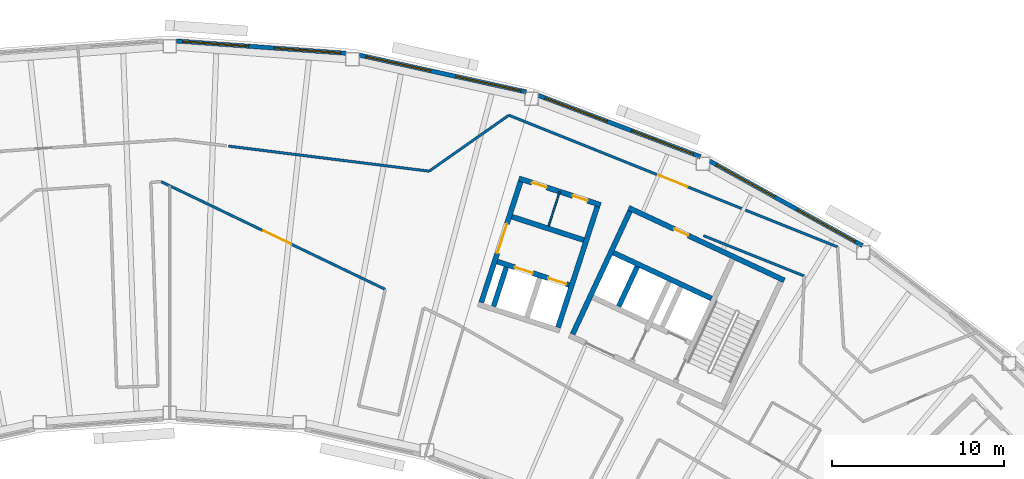
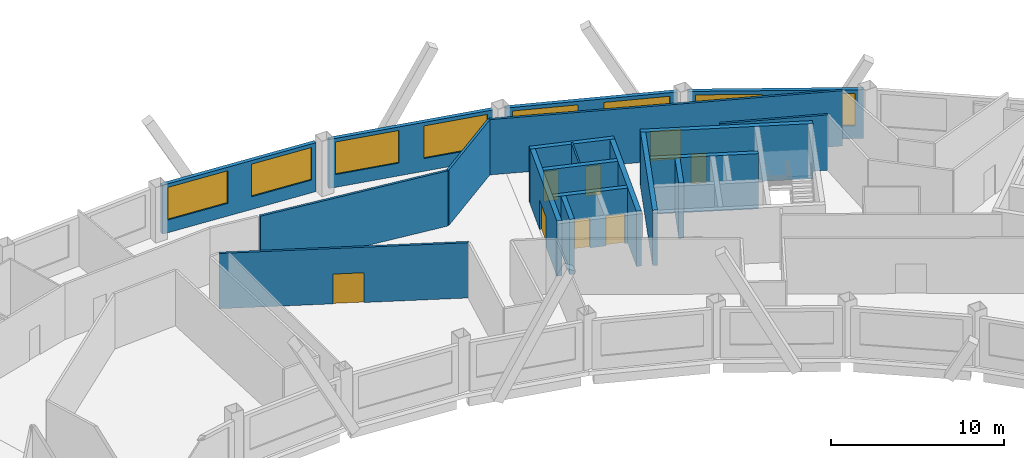
# One storey, part 9 of 12: 20 walls, 8 doors, 8 windows, 16 openings.
"""IFC4 building model written with IfcOpenShell, lengths in metres."""

from ifc_helpers import new_model, si_unit, direction, frame, frame_2d, origin, place, context, subcontext, project, spatial, rectangle, extrude, material, layer, layer_set, type_object, element, fill, save


model = new_model("IFC4")

# Units and contexts
model_context = context("Model", 3, precision=1e-05, world=origin(), true_north=direction((0.0, 1.0)))
body_context = subcontext(model_context, "Body", "Model", "MODEL_VIEW")
ifc_project = project(units=[si_unit("LENGTHUNIT", "METRE"), si_unit("AREAUNIT", "SQUARE_METRE"), si_unit("VOLUMEUNIT", "CUBIC_METRE"), si_unit("PLANEANGLEUNIT", "RADIAN"), si_unit("MASSUNIT", "GRAM", prefix="KILO")], contexts=[model_context])

# Site, building, storey
site_placement = place(None, origin())
site = spatial("IfcSite", under=ifc_project, at=site_placement, CompositionType="ELEMENT")
building_placement = place(site_placement, origin())
building = spatial("IfcBuilding", under=site, at=building_placement, Name="Tuul Gate Civic Tower", CompositionType="ELEMENT")
storey_placement = place(building_placement, frame((0.0, 0.0, 336.5)))
storey = spatial("IfcBuildingStorey", under=building, at=storey_placement, Name="Level 76", CompositionType="ELEMENT", Elevation=336.5)

# Wall
ifc_material_1 = material(Name="Concrete C50/60", Category="concrete")
ifc_layer_1 = layer(ifc_material_1, 0.300048828125)
ifc_layer_set_1 = layer_set([ifc_layer_1], Name="Concrete C50/60")
wall_type_1 = type_object("IfcWallType", Name="Core wall C50/60", PredefinedType="SHEAR", material=ifc_layer_set_1)
wall_1_placement = place(storey_placement, frame((33.75, -0.873779296875, 0.0), z_axis=(0.0, 0.0, 1.0), x_axis=(-0.906300917592, 0.422632992999, 0.0)))
element("IfcWall", 1, at=wall_1_placement, inside=storey, type_object=wall_type_1, Name="Core wall", PredefinedType="SHEAR", context=body_context, shape_type="SweptSolid", body=[
    extrude(rectangle(XDim=6.300048828125, YDim=0.300048828125, at=frame_2d((3.14990234375, 0.0))), origin(), (0.0, 0.0, 1.0), 3.89990234375),
])

# Wall, opening, door
wall_2_placement = place(storey_placement, frame((37.993408203125, 0.181884765625, 0.0), z_axis=(0.0, 0.0, 1.0), x_axis=(-0.906310338845, 0.422612789327, 0.0)))
wall_2 = element("IfcWall", 2, at=wall_2_placement, inside=storey, type_object=wall_type_1, Name="Core wall", PredefinedType="SHEAR", context=body_context, shape_type="SweptSolid", body=[
    extrude(rectangle(XDim=9.999755859375, YDim=0.300048828125, at=frame_2d((5.0, 0.0))), origin(), (0.0, 0.0, 1.0), 3.89990234375),
])
opening_1_placement = place(wall_2_placement, frame((6.175048828125, 0.0, 0.0)))
opening_1 = element("IfcOpeningElement", 3, at=opening_1_placement, cuts=wall_2, Name="Opening AB-D18", PredefinedType="OPENING", context=body_context, shape_type="SweptSolid", body=[
    extrude(rectangle(XDim=0.89990234375, YDim=2.10009765625, at=frame_2d((0.449951171875, 1.050048828125))), frame((0.0, 0.16015625, 0.0), z_axis=(0.0, -1.0, 0.0), x_axis=(1.0, 0.0, 0.0)), (0.0, 0.0, 1.0), 0.320068359375),
])
ifc_material_2 = material(Name="Timber door leaf", Category="wood")
door_type_1 = type_object("IfcDoorType", Name="Door D09", OperationType="NOTDEFINED", PredefinedType="DOOR", material=ifc_material_2)
door_1_placement = place(opening_1_placement, origin())
door_1 = element("IfcDoor", 4, at=door_1_placement, inside=storey, type_object=door_type_1, Name="Door AB-D18", OperationType="SINGLE_SWING_LEFT", OverallHeight=2.10009765625, OverallWidth=0.89990234375, PredefinedType="DOOR", context=body_context, shape_type="SweptSolid", body=[
    extrude(rectangle(XDim=0.89990234375, YDim=2.10009765625, at=frame_2d((0.449951171875, 1.050048828125))), frame((0.0, 0.02490234375, 0.0), z_axis=(0.0, -1.0, 0.0), x_axis=(1.0, 0.0, 0.0)), (0.0, 0.0, 1.0), 0.050048828125),
])
fill(opening_1, door_1)

# Walls
wall_3_placement = place(storey_placement, frame((28.349365234375, -1.33447265625, 0.0), z_axis=(0.0, 0.0, 1.0), x_axis=(0.422612891016, 0.906310291427, 0.0)))
element("IfcWall", 5, at=wall_3_placement, inside=storey, type_object=wall_type_1, Name="Core wall", PredefinedType="SHEAR", context=body_context, shape_type="SweptSolid", body=[
    extrude(rectangle(XDim=2.550048828125, YDim=0.300048828125, at=frame_2d((1.27490234375, 0.0))), origin(), (0.0, 0.0, 1.0), 3.89990234375),
])
wall_4_placement = place(storey_placement, frame((25.66455078125, -2.951416015625, 0.0), z_axis=(0.0, 0.0, 1.0), x_axis=(0.422582604137, 0.906324413596, 0.0)))
element("IfcWall", 6, at=wall_4_placement, inside=storey, type_object=wall_type_1, Name="Core wall", PredefinedType="SHEAR", context=body_context, shape_type="SweptSolid", body=[
    extrude(rectangle(XDim=7.89990234375, YDim=0.300048828125, at=frame_2d((3.949951171875, 0.0))), origin(), (0.0, 0.0, 1.0), 3.89990234375),
])

# Wall, opening, door
ifc_material_3 = material(Name="Gypsum board partition")
ifc_layer_2 = layer(ifc_material_3, 0.14990234375)
ifc_layer_set_2 = layer_set([ifc_layer_2], Name="Gypsum board partition")
wall_type_2 = type_object("IfcWallType", Name="Corridor wall P150", PredefinedType="PARTITIONING", material=ifc_layer_set_2)
wall_5_placement = place(storey_placement, frame((21.94970703125, 9.802490234375, 0.0), z_axis=(0.0, 0.0, 1.0), x_axis=(0.928202204222, -0.372076158975, 0.0)))
wall_5 = element("IfcWall", 7, at=wall_5_placement, inside=storey, type_object=wall_type_2, Name="p011", PredefinedType="PARTITIONING", context=body_context, shape_type="SweptSolid", body=[
    extrude(rectangle(XDim=20.629638671875, YDim=0.14990234375, at=frame_2d((10.31494140625, 0.0))), origin(), (0.0, 0.0, 1.0), 3.89990234375),
])
opening_2_placement = place(wall_5_placement, frame((9.414794921875, 0.0, 0.0)))
opening_2 = element("IfcOpeningElement", 8, at=opening_2_placement, cuts=wall_5, Name="Opening AB-D01", PredefinedType="OPENING", context=body_context, shape_type="SweptSolid", body=[
    extrude(rectangle(XDim=1.800048828125, YDim=2.10009765625, at=frame_2d((0.89990234375, 1.050048828125))), frame((0.0, 0.0849609375, 0.0), z_axis=(0.0, -1.0, 0.0), x_axis=(1.0, 0.0, 0.0)), (0.0, 0.0, 1.0), 0.169921875),
])
ifc_material_4 = material(Name="Timber door leaf, double", Category="wood")
door_type_2 = type_object("IfcDoorType", Name="Door D18", OperationType="DOUBLE_DOOR_SINGLE_SWING", PredefinedType="DOOR", material=ifc_material_4)
door_2_placement = place(opening_2_placement, origin())
door_2 = element("IfcDoor", 9, at=door_2_placement, inside=storey, type_object=door_type_2, Name="Door AB-D01", OperationType="DOUBLE_DOOR_SINGLE_SWING", OverallHeight=2.10009765625, OverallWidth=1.800048828125, PredefinedType="DOOR", context=body_context, shape_type="SweptSolid", body=[
    extrude(rectangle(XDim=1.800048828125, YDim=2.10009765625, at=frame_2d((0.89990234375, 1.050048828125))), frame((0.0, 0.02490234375, 0.0), z_axis=(0.0, -1.0, 0.0), x_axis=(1.0, 0.0, 0.0)), (0.0, 0.0, 1.0), 0.050048828125),
])
fill(opening_2, door_2)

# Walls
wall_6_placement = place(storey_placement, frame((17.305908203125, 6.5439453125, 0.0), z_axis=(0.0, 0.0, 1.0), x_axis=(0.818578347198, 0.574394889861, 0.0)))
element("IfcWall", 10, at=wall_6_placement, inside=storey, type_object=wall_type_2, Name="p012", PredefinedType="PARTITIONING", context=body_context, shape_type="SweptSolid", body=[
    extrude(rectangle(XDim=5.673095703125, YDim=0.14990234375, at=frame_2d((2.83642578125, 0.0))), origin(), (0.0, 0.0, 1.0), 3.89990234375),
])
wall_7_placement = place(storey_placement, frame((5.622802734375, 8.000732421875, 0.0), z_axis=(0.0, 0.0, 1.0), x_axis=(0.992297019346, -0.123881497396, 0.0)))
element("IfcWall", 11, at=wall_7_placement, inside=storey, type_object=wall_type_2, Name="p014", PredefinedType="PARTITIONING", context=body_context, shape_type="SweptSolid", body=[
    extrude(rectangle(XDim=11.765380859375, YDim=0.14990234375, at=frame_2d((5.8828125, 0.0))), origin(), (0.0, 0.0, 1.0), 3.89990234375),
])

# Wall, opening, door
wall_8_placement = place(storey_placement, frame((1.69091796875, 5.9326171875, 0.0), z_axis=(0.0, 0.0, 1.0), x_axis=(0.901298658641, -0.433198254766, 0.0)))
wall_8 = element("IfcWall", 12, at=wall_8_placement, inside=storey, type_object=wall_type_2, Name="p044", PredefinedType="PARTITIONING", context=body_context, shape_type="SweptSolid", body=[
    extrude(rectangle(XDim=14.47265625, YDim=0.14990234375, at=frame_2d((7.236328125, 0.0))), origin(), (0.0, 0.0, 1.0), 3.89990234375),
])
opening_3_placement = place(wall_8_placement, frame((6.6142578125, 0.0, 0.0)))
opening_3 = element("IfcOpeningElement", 13, at=opening_3_placement, cuts=wall_8, Name="Opening AB-D07", PredefinedType="OPENING", context=body_context, shape_type="SweptSolid", body=[
    extrude(rectangle(XDim=1.800048828125, YDim=2.10009765625, at=frame_2d((0.89990234375, 1.050048828125))), frame((0.0, 0.0849609375, 0.0), z_axis=(0.0, -1.0, 0.0), x_axis=(1.0, 0.0, 0.0)), (0.0, 0.0, 1.0), 0.169921875),
])
door_3_placement = place(opening_3_placement, frame((1.800048828125, 0.0, 0.0), z_axis=(0.0, 0.0, 1.0), x_axis=(-1.0, 0.0, 0.0)))
door_3 = element("IfcDoor", 14, at=door_3_placement, inside=storey, type_object=door_type_2, Name="Door AB-D07", OperationType="DOUBLE_DOOR_SINGLE_SWING", OverallHeight=2.10009765625, OverallWidth=1.800048828125, PredefinedType="DOOR", context=body_context, shape_type="SweptSolid", body=[
    extrude(rectangle(XDim=1.800048828125, YDim=2.10009765625, at=frame_2d((0.900146484375, 1.050048828125))), frame((0.0, 0.02490234375, 0.0), z_axis=(0.0, -1.0, 0.0), x_axis=(1.0, 0.0, 0.0)), (0.0, 0.0, 1.0), 0.050048828125),
])
fill(opening_3, door_3)

# Wall
wall_9_placement = place(storey_placement, frame((33.290771484375, 2.784912109375, 0.0), z_axis=(0.0, 0.0, 1.0), x_axis=(0.928223080545, -0.37202407549, 0.0)))
element("IfcWall", 15, at=wall_9_placement, inside=storey, type_object=wall_type_2, Name="p079", PredefinedType="PARTITIONING", context=body_context, shape_type="SweptSolid", body=[
    extrude(rectangle(XDim=6.3125, YDim=0.14990234375, at=frame_2d((3.15625, 0.0))), origin(), (0.0, 0.0, 1.0), 3.89990234375),
])

# Wall, openings, windows
ifc_material_5 = material(Name="Precast concrete C40/50", Category="concrete")
ifc_layer_3 = layer(ifc_material_5, 0.25)
ifc_layer_set_3 = layer_set([ifc_layer_3], Name="Precast concrete C40/50")
wall_type_3 = type_object("IfcWallType", Name="External wall", PredefinedType="STANDARD", material=ifc_layer_set_3)
wall_10_placement = place(storey_placement, frame((42.54345703125, 2.205078125, 0.0), z_axis=(0.0, 0.0, 1.0), x_axis=(-0.87463511472, 0.484781823193, 0.0)))
wall_10 = element("IfcWall", 16, at=wall_10_placement, inside=storey, type_object=wall_type_3, Name="External wall", PredefinedType="STANDARD", context=body_context, shape_type="SweptSolid", body=[
    extrude(rectangle(XDim=10.161376953125, YDim=0.25, at=frame_2d((5.08056640625, 0.0))), origin(), (0.0, 0.0, 1.0), 3.449951171875),
])
opening_4_placement = place(wall_10_placement, frame((0.48974609375, 0.0, 0.89990234375)))
opening_4 = element("IfcOpeningElement", 17, at=opening_4_placement, cuts=wall_10, Name="Opening W22", PredefinedType="OPENING", context=body_context, shape_type="SweptSolid", body=[
    extrude(rectangle(XDim=3.85009765625, YDim=2.300048828125, at=frame_2d((1.925048828125, 1.14990234375))), frame((0.0, 0.135009765625, 0.0), z_axis=(0.0, -1.0, 0.0), x_axis=(1.0, 0.0, 0.0)), (0.0, 0.0, 1.0), 0.27001953125),
])
opening_5_placement = place(wall_10_placement, frame((5.861328125, 0.0, 0.89990234375)))
opening_5 = element("IfcOpeningElement", 18, at=opening_5_placement, cuts=wall_10, Name="Opening W22", PredefinedType="OPENING", context=body_context, shape_type="SweptSolid", body=[
    extrude(rectangle(XDim=3.85009765625, YDim=2.300048828125, at=frame_2d((1.925048828125, 1.14990234375))), frame((0.0, 0.135009765625, 0.0), z_axis=(0.0, -1.0, 0.0), x_axis=(1.0, 0.0, 0.0)), (0.0, 0.0, 1.0), 0.27001953125),
])
ifc_material_6 = material(Name="Glass", Category="glass")
window_type = type_object("IfcWindowType", Name="Window W22 3850 x 2300", PartitioningType="SINGLE_PANEL", PredefinedType="WINDOW", material=ifc_material_6)
window_1_placement = place(opening_4_placement, origin())
window_1 = element("IfcWindow", 19, at=window_1_placement, inside=storey, type_object=window_type, Name="Window", OverallHeight=2.300048828125, OverallWidth=3.85009765625, PartitioningType="SINGLE_PANEL", PredefinedType="WINDOW", context=body_context, shape_type="SweptSolid", body=[
    extrude(rectangle(XDim=3.85009765625, YDim=2.300048828125, at=frame_2d((1.925048828125, 1.14990234375))), frame((0.0, 0.030029296875, 0.0), z_axis=(0.0, -1.0, 0.0), x_axis=(1.0, 0.0, 0.0)), (0.0, 0.0, 1.0), 0.06005859375),
])
fill(opening_4, window_1)
window_2_placement = place(opening_5_placement, origin())
window_2 = element("IfcWindow", 20, at=window_2_placement, inside=storey, type_object=window_type, Name="Window", OverallHeight=2.300048828125, OverallWidth=3.85009765625, PartitioningType="SINGLE_PANEL", PredefinedType="WINDOW", context=body_context, shape_type="SweptSolid", body=[
    extrude(rectangle(XDim=3.85009765625, YDim=2.300048828125, at=frame_2d((1.925048828125, 1.14990234375))), frame((0.0, 0.030029296875, 0.0), z_axis=(0.0, -1.0, 0.0), x_axis=(1.0, 0.0, 0.0)), (0.0, 0.0, 1.0), 0.06005859375),
])
fill(opening_5, window_2)

wall_11_placement = place(storey_placement, frame((33.115478515625, 7.382080078125, 0.0), z_axis=(0.0, 0.0, 1.0), x_axis=(-0.93534700963, 0.353731496444, 0.0)))
wall_11 = element("IfcWall", 21, at=wall_11_placement, inside=storey, type_object=wall_type_3, Name="External wall", PredefinedType="STANDARD", context=body_context, shape_type="SweptSolid", body=[
    extrude(rectangle(XDim=10.099609375, YDim=0.25, at=frame_2d((5.0498046875, 0.0))), origin(), (0.0, 0.0, 1.0), 3.449951171875),
])
opening_6_placement = place(wall_11_placement, frame((0.45556640625, 0.0, 0.89990234375)))
opening_6 = element("IfcOpeningElement", 22, at=opening_6_placement, cuts=wall_11, Name="Opening W22", PredefinedType="OPENING", context=body_context, shape_type="SweptSolid", body=[
    extrude(rectangle(XDim=3.85009765625, YDim=2.300048828125, at=frame_2d((1.925048828125, 1.14990234375))), frame((0.0, 0.135009765625, 0.0), z_axis=(0.0, -1.0, 0.0), x_axis=(1.0, 0.0, 0.0)), (0.0, 0.0, 1.0), 0.27001953125),
])
opening_7_placement = place(wall_11_placement, frame((5.826904296875, 0.0, 0.89990234375)))
opening_7 = element("IfcOpeningElement", 23, at=opening_7_placement, cuts=wall_11, Name="Opening W22", PredefinedType="OPENING", context=body_context, shape_type="SweptSolid", body=[
    extrude(rectangle(XDim=3.85009765625, YDim=2.300048828125, at=frame_2d((1.925048828125, 1.14990234375))), frame((0.0, 0.135009765625, 0.0), z_axis=(0.0, -1.0, 0.0), x_axis=(1.0, 0.0, 0.0)), (0.0, 0.0, 1.0), 0.27001953125),
])
window_3_placement = place(opening_6_placement, origin())
window_3 = element("IfcWindow", 24, at=window_3_placement, inside=storey, type_object=window_type, Name="Window", OverallHeight=2.300048828125, OverallWidth=3.85009765625, PartitioningType="SINGLE_PANEL", PredefinedType="WINDOW", context=body_context, shape_type="SweptSolid", body=[
    extrude(rectangle(XDim=3.85009765625, YDim=2.300048828125, at=frame_2d((1.925048828125, 1.14990234375))), frame((0.0, 0.030029296875, 0.0), z_axis=(0.0, -1.0, 0.0), x_axis=(1.0, 0.0, 0.0)), (0.0, 0.0, 1.0), 0.06005859375),
])
fill(opening_6, window_3)
window_4_placement = place(opening_7_placement, origin())
window_4 = element("IfcWindow", 25, at=window_4_placement, inside=storey, type_object=window_type, Name="Window", OverallHeight=2.300048828125, OverallWidth=3.85009765625, PartitioningType="SINGLE_PANEL", PredefinedType="WINDOW", context=body_context, shape_type="SweptSolid", body=[
    extrude(rectangle(XDim=3.85009765625, YDim=2.300048828125, at=frame_2d((1.925048828125, 1.14990234375))), frame((0.0, 0.030029296875, 0.0), z_axis=(0.0, -1.0, 0.0), x_axis=(1.0, 0.0, 0.0)), (0.0, 0.0, 1.0), 0.06005859375),
])
fill(opening_7, window_4)

wall_12_placement = place(storey_placement, frame((22.9658203125, 11.157958984375, 0.0), z_axis=(0.0, 0.0, 1.0), x_axis=(-0.976563421064, 0.215229841426, 0.0)))
wall_12 = element("IfcWall", 26, at=wall_12_placement, inside=storey, type_object=wall_type_3, Name="External wall", PredefinedType="STANDARD", context=body_context, shape_type="SweptSolid", body=[
    extrude(rectangle(XDim=9.958251953125, YDim=0.25, at=frame_2d((4.97900390625, 0.0))), origin(), (0.0, 0.0, 1.0), 3.449951171875),
])
opening_8_placement = place(wall_12_placement, frame((0.346923828125, 0.0, 0.89990234375)))
opening_8 = element("IfcOpeningElement", 27, at=opening_8_placement, cuts=wall_12, Name="Opening W22", PredefinedType="OPENING", context=body_context, shape_type="SweptSolid", body=[
    extrude(rectangle(XDim=3.85009765625, YDim=2.300048828125, at=frame_2d((1.925048828125, 1.14990234375))), frame((0.0, 0.135009765625, 0.0), z_axis=(0.0, -1.0, 0.0), x_axis=(1.0, 0.0, 0.0)), (0.0, 0.0, 1.0), 0.27001953125),
])
opening_9_placement = place(wall_12_placement, frame((5.71826171875, 0.0, 0.89990234375)))
opening_9 = element("IfcOpeningElement", 28, at=opening_9_placement, cuts=wall_12, Name="Opening W22", PredefinedType="OPENING", context=body_context, shape_type="SweptSolid", body=[
    extrude(rectangle(XDim=3.85009765625, YDim=2.300048828125, at=frame_2d((1.925048828125, 1.14990234375))), frame((0.0, 0.135009765625, 0.0), z_axis=(0.0, -1.0, 0.0), x_axis=(1.0, 0.0, 0.0)), (0.0, 0.0, 1.0), 0.27001953125),
])
window_5_placement = place(opening_8_placement, origin())
window_5 = element("IfcWindow", 29, at=window_5_placement, inside=storey, type_object=window_type, Name="Window", OverallHeight=2.300048828125, OverallWidth=3.85009765625, PartitioningType="SINGLE_PANEL", PredefinedType="WINDOW", context=body_context, shape_type="SweptSolid", body=[
    extrude(rectangle(XDim=3.85009765625, YDim=2.300048828125, at=frame_2d((1.925048828125, 1.14990234375))), frame((0.0, 0.030029296875, 0.0), z_axis=(0.0, -1.0, 0.0), x_axis=(1.0, 0.0, 0.0)), (0.0, 0.0, 1.0), 0.06005859375),
])
fill(opening_8, window_5)
window_6_placement = place(opening_9_placement, origin())
window_6 = element("IfcWindow", 30, at=window_6_placement, inside=storey, type_object=window_type, Name="Window", OverallHeight=2.300048828125, OverallWidth=3.85009765625, PartitioningType="SINGLE_PANEL", PredefinedType="WINDOW", context=body_context, shape_type="SweptSolid", body=[
    extrude(rectangle(XDim=3.85009765625, YDim=2.300048828125, at=frame_2d((1.925048828125, 1.14990234375))), frame((0.0, 0.030029296875, 0.0), z_axis=(0.0, -1.0, 0.0), x_axis=(1.0, 0.0, 0.0)), (0.0, 0.0, 1.0), 0.06005859375),
])
fill(opening_9, window_6)

wall_13_placement = place(storey_placement, frame((12.44091796875, 13.411376953125, 0.0), z_axis=(0.0, 0.0, 1.0), x_axis=(-0.997387042659, 0.072243249762, 0.0)))
wall_13 = element("IfcWall", 31, at=wall_13_placement, inside=storey, type_object=wall_type_3, Name="External wall", PredefinedType="STANDARD", context=body_context, shape_type="SweptSolid", body=[
    extrude(rectangle(XDim=9.874755859375, YDim=0.25, at=frame_2d((4.9375, 0.0))), origin(), (0.0, 0.0, 1.0), 3.449951171875),
])
opening_10_placement = place(wall_13_placement, frame((0.303466796875, 0.0, 0.89990234375)))
opening_10 = element("IfcOpeningElement", 32, at=opening_10_placement, cuts=wall_13, Name="Opening W22", PredefinedType="OPENING", context=body_context, shape_type="SweptSolid", body=[
    extrude(rectangle(XDim=3.85009765625, YDim=2.300048828125, at=frame_2d((1.925048828125, 1.14990234375))), frame((0.0, 0.135009765625, 0.0), z_axis=(0.0, -1.0, 0.0), x_axis=(1.0, 0.0, 0.0)), (0.0, 0.0, 1.0), 0.27001953125),
])
opening_11_placement = place(wall_13_placement, frame((5.67431640625, 0.0, 0.89990234375)))
opening_11 = element("IfcOpeningElement", 33, at=opening_11_placement, cuts=wall_13, Name="Opening W22", PredefinedType="OPENING", context=body_context, shape_type="SweptSolid", body=[
    extrude(rectangle(XDim=3.85009765625, YDim=2.300048828125, at=frame_2d((1.925048828125, 1.14990234375))), frame((0.0, 0.135009765625, 0.0), z_axis=(0.0, -1.0, 0.0), x_axis=(1.0, 0.0, 0.0)), (0.0, 0.0, 1.0), 0.27001953125),
])
window_7_placement = place(opening_10_placement, origin())
window_7 = element("IfcWindow", 34, at=window_7_placement, inside=storey, type_object=window_type, Name="Window", OverallHeight=2.300048828125, OverallWidth=3.85009765625, PartitioningType="SINGLE_PANEL", PredefinedType="WINDOW", context=body_context, shape_type="SweptSolid", body=[
    extrude(rectangle(XDim=3.85009765625, YDim=2.300048828125, at=frame_2d((1.925048828125, 1.14990234375))), frame((0.0, 0.030029296875, 0.0), z_axis=(0.0, -1.0, 0.0), x_axis=(1.0, 0.0, 0.0)), (0.0, 0.0, 1.0), 0.06005859375),
])
fill(opening_10, window_7)
window_8_placement = place(opening_11_placement, origin())
window_8 = element("IfcWindow", 35, at=window_8_placement, inside=storey, type_object=window_type, Name="Window", OverallHeight=2.300048828125, OverallWidth=3.85009765625, PartitioningType="SINGLE_PANEL", PredefinedType="WINDOW", context=body_context, shape_type="SweptSolid", body=[
    extrude(rectangle(XDim=3.85009765625, YDim=2.300048828125, at=frame_2d((1.925048828125, 1.14990234375))), frame((0.0, 0.030029296875, 0.0), z_axis=(0.0, -1.0, 0.0), x_axis=(1.0, 0.0, 0.0)), (0.0, 0.0, 1.0), 0.06005859375),
])
fill(opening_11, window_8)

# Wall, openings, doors
ifc_material_7 = material(Name="Concrete C40/50", Category="concrete")
ifc_layer_4 = layer(ifc_material_7, 0.300048828125)
ifc_layer_set_4 = layer_set([ifc_layer_4], Name="Concrete C40/50")
wall_type_4 = type_object("IfcWallType", Name="Lift shaft wall C40/50", PredefinedType="STANDARD", material=ifc_layer_set_4)
wall_14_placement = place(storey_placement, frame((25.460693359375, -0.0859375, 0.0), z_axis=(0.0, 0.0, 1.0), x_axis=(-0.951063829732, 0.308994485023, 0.0)))
wall_14 = element("IfcWall", 36, at=wall_14_placement, inside=storey, type_object=wall_type_4, Name="Shaft wall", PredefinedType="STANDARD", context=body_context, shape_type="SweptSolid", body=[
    extrude(rectangle(XDim=4.400146484375, YDim=0.300048828125, at=frame_2d((2.2001953125, 0.0))), origin(), (0.0, 0.0, 1.0), 3.89990234375),
])
opening_12_placement = place(wall_14_placement, frame((0.175048828125, 0.0, 0.0)))
opening_12 = element("IfcOpeningElement", 37, at=opening_12_placement, cuts=wall_14, Name="Opening LD-H2", PredefinedType="OPENING", context=body_context, shape_type="SweptSolid", body=[
    extrude(rectangle(XDim=1.10009765625, YDim=2.10009765625, at=frame_2d((0.550048828125, 1.050048828125))), frame((0.0, 0.16015625, 0.0), z_axis=(0.0, -1.0, 0.0), x_axis=(1.0, 0.0, 0.0)), (0.0, 0.0, 1.0), 0.320068359375),
])
opening_13_placement = place(wall_14_placement, frame((2.22509765625, 0.0, 0.0)))
opening_13 = element("IfcOpeningElement", 38, at=opening_13_placement, cuts=wall_14, Name="Opening LD-H3", PredefinedType="OPENING", context=body_context, shape_type="SweptSolid", body=[
    extrude(rectangle(XDim=1.10009765625, YDim=2.10009765625, at=frame_2d((0.550048828125, 1.050048828125))), frame((0.0, 0.16015625, 0.0), z_axis=(0.0, -1.0, 0.0), x_axis=(1.0, 0.0, 0.0)), (0.0, 0.0, 1.0), 0.320068359375),
])
ifc_material_8 = material(Name="Stainless steel", Category="steel")
door_type_3 = type_object("IfcDoorType", Name="Landing door", OperationType="DOUBLE_DOOR_SLIDING", PredefinedType="DOOR", material=ifc_material_8)
door_4_placement = place(opening_12_placement, origin())
door_4 = element("IfcDoor", 39, at=door_4_placement, inside=storey, type_object=door_type_3, Name="High-rise lift H2 landing door", OperationType="DOUBLE_DOOR_SLIDING", OverallHeight=2.10009765625, OverallWidth=1.10009765625, PredefinedType="DOOR", context=body_context, shape_type="SweptSolid", body=[
    extrude(rectangle(XDim=1.10009765625, YDim=2.10009765625, at=frame_2d((0.550048828125, 1.050048828125))), frame((0.0, 0.02490234375, 0.0), z_axis=(0.0, -1.0, 0.0), x_axis=(1.0, 0.0, 0.0)), (0.0, 0.0, 1.0), 0.050048828125),
])
fill(opening_12, door_4)
door_5_placement = place(opening_13_placement, origin())
door_5 = element("IfcDoor", 40, at=door_5_placement, inside=storey, type_object=door_type_3, Name="High-rise lift H3 landing door", OperationType="DOUBLE_DOOR_SLIDING", OverallHeight=2.10009765625, OverallWidth=1.10009765625, PredefinedType="DOOR", context=body_context, shape_type="SweptSolid", body=[
    extrude(rectangle(XDim=1.10009765625, YDim=2.10009765625, at=frame_2d((0.550048828125, 1.050048828125))), frame((0.0, 0.02490234375, 0.0), z_axis=(0.0, -1.0, 0.0), x_axis=(1.0, 0.0, 0.0)), (0.0, 0.0, 1.0), 0.050048828125),
])
fill(opening_13, door_5)

# Wall
wall_15_placement = place(storey_placement, frame((26.310546875, 2.529541015625, 0.0), z_axis=(0.0, 0.0, 1.0), x_axis=(-0.951058531764, 0.30901079133, 0.0)))
element("IfcWall", 41, at=wall_15_placement, inside=storey, type_object=wall_type_4, Name="Shaft wall", PredefinedType="STANDARD", context=body_context, shape_type="SweptSolid", body=[
    extrude(rectangle(XDim=4.39990234375, YDim=0.300048828125, at=frame_2d((2.199951171875, 0.0))), origin(), (0.0, 0.0, 1.0), 3.89990234375),
])

# Wall, openings, doors
wall_16_placement = place(storey_placement, frame((27.29150390625, 4.57666015625, 0.0), z_axis=(0.0, 0.0, 1.0), x_axis=(-0.951067792613, 0.308982287281, 0.0)))
wall_16 = element("IfcWall", 42, at=wall_16_placement, inside=storey, type_object=wall_type_4, Name="Shaft wall", PredefinedType="STANDARD", context=body_context, shape_type="SweptSolid", body=[
    extrude(rectangle(XDim=5.0, YDim=0.300048828125, at=frame_2d((2.5, 0.0))), origin(), (0.0, 0.0, 1.0), 3.89990234375),
])
opening_14_placement = place(wall_16_placement, frame((0.800048828125, 0.0, 0.0)))
opening_14 = element("IfcOpeningElement", 43, at=opening_14_placement, cuts=wall_16, Name="Opening AB-D19", PredefinedType="OPENING", context=body_context, shape_type="SweptSolid", body=[
    extrude(rectangle(XDim=0.89990234375, YDim=2.10009765625, at=frame_2d((0.449951171875, 1.050048828125))), frame((0.0, 0.16015625, 0.0), z_axis=(0.0, -1.0, 0.0), x_axis=(1.0, 0.0, 0.0)), (0.0, 0.0, 1.0), 0.320068359375),
])
opening_15_placement = place(wall_16_placement, frame((3.300048828125, 0.0, 0.0)))
opening_15 = element("IfcOpeningElement", 44, at=opening_15_placement, cuts=wall_16, Name="Opening AB-D20", PredefinedType="OPENING", context=body_context, shape_type="SweptSolid", body=[
    extrude(rectangle(XDim=0.89990234375, YDim=2.10009765625, at=frame_2d((0.449951171875, 1.050048828125))), frame((0.0, 0.16015625, 0.0), z_axis=(0.0, -1.0, 0.0), x_axis=(1.0, 0.0, 0.0)), (0.0, 0.0, 1.0), 0.320068359375),
])
door_6_placement = place(opening_14_placement, origin())
door_6 = element("IfcDoor", 45, at=door_6_placement, inside=storey, type_object=door_type_1, Name="Door AB-D19", OperationType="SINGLE_SWING_LEFT", OverallHeight=2.10009765625, OverallWidth=0.89990234375, PredefinedType="DOOR", context=body_context, shape_type="SweptSolid", body=[
    extrude(rectangle(XDim=0.89990234375, YDim=2.10009765625, at=frame_2d((0.449951171875, 1.050048828125))), frame((0.0, 0.02490234375, 0.0), z_axis=(0.0, -1.0, 0.0), x_axis=(1.0, 0.0, 0.0)), (0.0, 0.0, 1.0), 0.050048828125),
])
fill(opening_14, door_6)
door_7_placement = place(opening_15_placement, origin())
door_7 = element("IfcDoor", 46, at=door_7_placement, inside=storey, type_object=door_type_1, Name="Door AB-D20", OperationType="SINGLE_SWING_RIGHT", OverallHeight=2.10009765625, OverallWidth=0.89990234375, PredefinedType="DOOR", context=body_context, shape_type="SweptSolid", body=[
    extrude(rectangle(XDim=0.89990234375, YDim=2.10009765625, at=frame_2d((0.449951171875, 1.050048828125))), frame((0.0, 0.02490234375, 0.0), z_axis=(0.0, -1.0, 0.0), x_axis=(1.0, 0.0, 0.0)), (0.0, 0.0, 1.0), 0.050048828125),
])
fill(opening_15, door_7)

# Walls
wall_17_placement = place(storey_placement, frame((24.815185546875, -2.557373046875, 0.0), z_axis=(0.0, 0.0, 1.0), x_axis=(0.30907264409, 0.951038432807, 0.0)))
element("IfcWall", 47, at=wall_17_placement, inside=storey, type_object=wall_type_4, Name="Shaft wall", PredefinedType="STANDARD", context=body_context, shape_type="SweptSolid", body=[
    extrude(rectangle(XDim=7.39990234375, YDim=0.300048828125, at=frame_2d((3.699951171875, 0.0))), origin(), (0.0, 0.0, 1.0), 3.89990234375),
])
wall_18_placement = place(storey_placement, frame((21.058349609375, -1.336669921875, 0.0), z_axis=(0.0, 0.0, 1.0), x_axis=(0.309138975195, 0.951016873675, 0.0)))
element("IfcWall", 48, at=wall_18_placement, inside=storey, type_object=wall_type_4, Name="Shaft wall", PredefinedType="STANDARD", context=body_context, shape_type="SweptSolid", body=[
    extrude(rectangle(XDim=2.400146484375, YDim=0.300048828125, at=frame_2d((1.2001953125, 0.0))), origin(), (0.0, 0.0, 1.0), 3.89990234375),
])

# Wall, opening, door
wall_19_placement = place(storey_placement, frame((20.34521484375, -1.10498046875, 0.0), z_axis=(0.0, 0.0, 1.0), x_axis=(0.30907264409, 0.951038432807, 0.0)))
wall_19 = element("IfcWall", 49, at=wall_19_placement, inside=storey, type_object=wall_type_4, Name="Shaft wall", PredefinedType="STANDARD", context=body_context, shape_type="SweptSolid", body=[
    extrude(rectangle(XDim=7.39990234375, YDim=0.300048828125, at=frame_2d((3.699951171875, 0.0))), origin(), (0.0, 0.0, 1.0), 3.89990234375),
])
opening_16_placement = place(wall_19_placement, frame((3.02490234375, 0.0, 0.0)))
opening_16 = element("IfcOpeningElement", 50, at=opening_16_placement, cuts=wall_19, Name="Opening LB-E4-LOBBY-1", PredefinedType="OPENING", context=body_context, shape_type="SweptSolid", body=[
    extrude(rectangle(XDim=1.800048828125, YDim=2.10009765625, at=frame_2d((0.89990234375, 1.050048828125))), frame((0.0, 0.16015625, 0.0), z_axis=(0.0, -1.0, 0.0), x_axis=(1.0, 0.0, 0.0)), (0.0, 0.0, 1.0), 0.320068359375),
])
ifc_material_9 = material(Name="Steel", Category="steel")
door_type_4 = type_object("IfcDoorType", Name="Lobby door", OperationType="DOUBLE_DOOR_SINGLE_SWING", PredefinedType="DOOR", material=ifc_material_9)
door_8_placement = place(opening_16_placement, frame((1.800048828125, 0.0, 0.0), z_axis=(0.0, 0.0, 1.0), x_axis=(-1.0, 0.0, 0.0)))
door_8 = element("IfcDoor", 51, at=door_8_placement, inside=storey, type_object=door_type_4, Name="Lobby door E4-LOBBY", OperationType="DOUBLE_DOOR_SINGLE_SWING", OverallHeight=2.10009765625, OverallWidth=1.800048828125, PredefinedType="DOOR", context=body_context, shape_type="SweptSolid", body=[
    extrude(rectangle(XDim=1.800048828125, YDim=2.10009765625, at=frame_2d((0.900146484375, 1.050048828125))), frame((0.0, 0.02490234375, 0.0), z_axis=(0.0, -1.0, 0.0), x_axis=(1.0, 0.0, 0.0)), (0.0, 0.0, 1.0), 0.050048828125),
])
fill(opening_16, door_8)

# Wall
ifc_material_10 = material(Name="Gypsum board partition")
ifc_layer_5 = layer(ifc_material_10, 0.10009765625)
ifc_layer_set_5 = layer_set([ifc_layer_5], Name="Gypsum board partition")
wall_type_5 = type_object("IfcWallType", Name="Partition P100", PredefinedType="PARTITIONING", material=ifc_layer_set_5)
wall_20_placement = place(storey_placement, frame((24.2646484375, 3.35205078125, 0.0), z_axis=(0.0, 0.0, 1.0), x_axis=(0.309138649025, 0.951016979701, 0.0)))
element("IfcWall", 52, at=wall_20_placement, inside=storey, type_object=wall_type_5, Name="bE4-BAND-0", PredefinedType="PARTITIONING", context=body_context, shape_type="SweptSolid", body=[
    extrude(rectangle(XDim=2.099853515625, YDim=0.10009765625, at=frame_2d((1.0498046875, 0.0))), origin(), (0.0, 0.0, 1.0), 3.89990234375),
])

save(model, "model.ifc")
